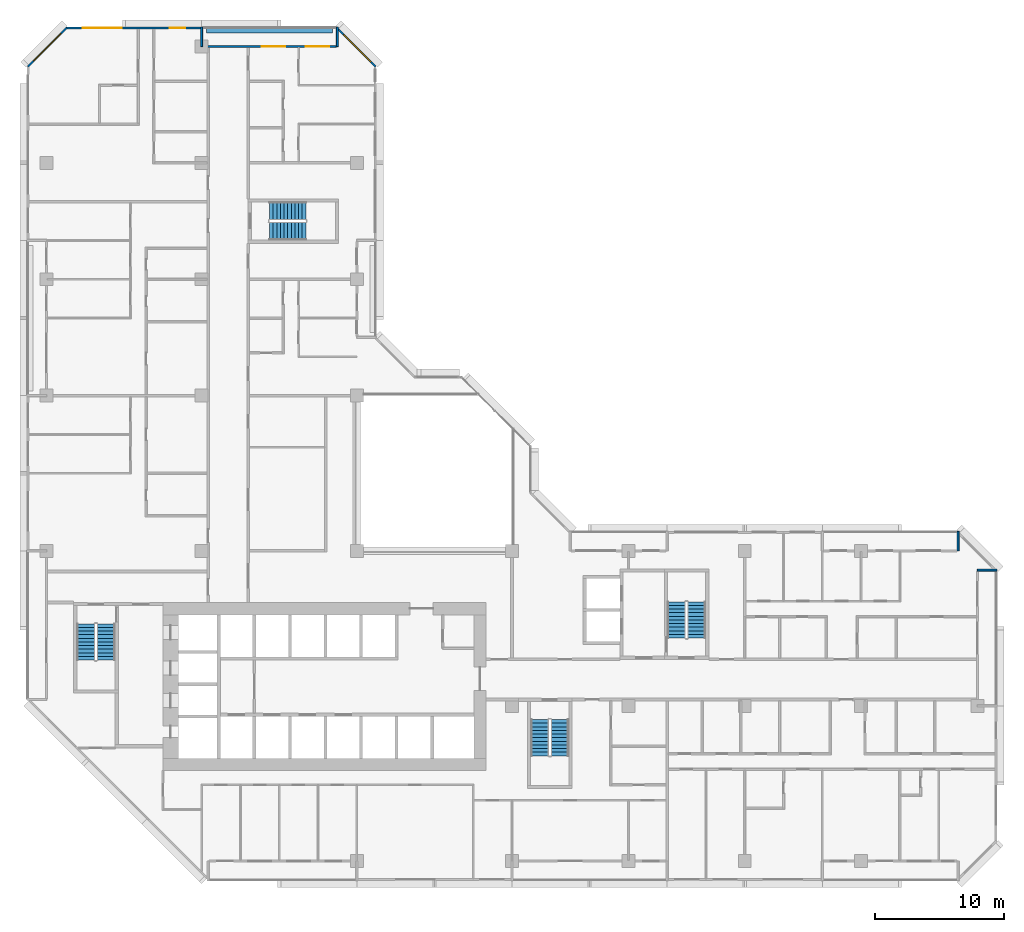
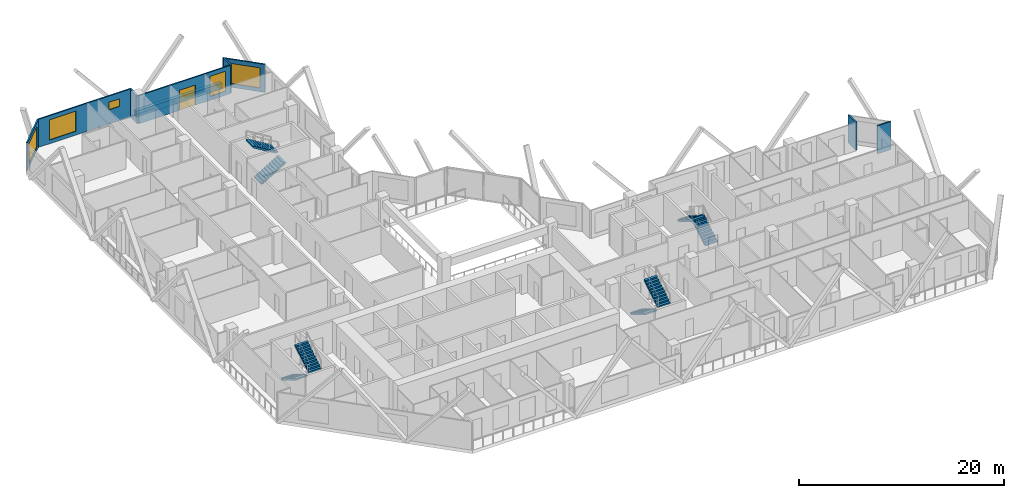
# One storey, part 13 of 15: 9 walls, 8 stair flights, 5 windows, 1 door, 6 openings, 4 elements without a shape of their own.
"""IFC4 building model written with IfcOpenShell, lengths in metres."""

import ifcopenshell
import ifcopenshell.guid

model = None  # the IFC model being written
_history = None  # IfcOwnerHistory: only IFC2X3 demands one
_inside = {}  # id of a spatial element -> (the spatial element, [elements in it])
_under = {}  # id of a project, library or spatial element -> (it, [spatial elements below it])
_declared = {}  # id of a project -> (the project, [libraries it declares])
_typed = {}  # id of a type object -> (the type object, [elements of that type])
_made_of = {}  # id of a material, layer set ... -> (it, [elements and type objects made of it])


def new_model(schema):
    """Start an empty IFC model of exactly this schema.

    Asked for "IFC4X3", IfcOpenShell would pick the latest addendum, in which some entities
    have other attributes; the version numbers below select the first issue.
    IFC2X3 requires an IfcOwnerHistory on every rooted entity: one is made here for all.
    """
    global model, _history
    if schema == "IFC4X3":
        model = ifcopenshell.file(schema_version=(4, 3, 0, 0))
    else:
        model = ifcopenshell.file(schema=schema)
    _inside.clear()
    _under.clear()
    _declared.clear()
    _typed.clear()
    _made_of.clear()
    _history = None
    if model.schema == "IFC2X3":
        org = make("IfcOrganization", Name="unknown")
        user = make(
            "IfcPersonAndOrganization",
            ThePerson=make("IfcPerson", FamilyName="unknown"),
            TheOrganization=org,
        )
        app = make(
            "IfcApplication",
            ApplicationDeveloper=org,
            Version="unknown",
            ApplicationFullName="unknown",
            ApplicationIdentifier="unknown",
        )
        _history = make(
            "IfcOwnerHistory",
            OwningUser=user,
            OwningApplication=app,
            ChangeAction="ADDED",
            CreationDate=0,
        )
    return model


def make(cls, **values):
    """One entity of the class cls with the attributes given. An attribute that is None is left unset."""
    return model.create_entity(
        cls, **{name: value for name, value in values.items() if value is not None}
    )


def rooted(cls, **values):
    """An entity with a GlobalId (a new one), such as an element, a storey or a relation."""
    return make(cls, GlobalId=ifcopenshell.guid.new(), OwnerHistory=_history, **values)


def si_unit(unit_type, name, prefix=None):
    """IfcSIUnit, for example si_unit("LENGTHUNIT", "METRE", prefix="MILLI")."""
    return make("IfcSIUnit", UnitType=unit_type, Prefix=prefix, Name=name)


def assignment(units):
    """IfcUnitAssignment: the units of a project."""
    return None if units is None else make("IfcUnitAssignment", Units=units)


def point(xyz):
    """IfcCartesianPoint."""
    return None if xyz is None else make("IfcCartesianPoint", Coordinates=xyz)


def direction(xyz):
    """IfcDirection."""
    return None if xyz is None else make("IfcDirection", DirectionRatios=xyz)


def frame(location, z_axis=None, x_axis=None):
    """IfcAxis2Placement3D, a coordinate frame: its origin and axes. An axis left out is left unset."""
    return make(
        "IfcAxis2Placement3D",
        Location=point(location),
        Axis=direction(z_axis),
        RefDirection=direction(x_axis),
    )


def frame_2d(location, x_axis=None):
    """IfcAxis2Placement2D, a coordinate frame in the plane: its origin and x axis."""
    return make(
        "IfcAxis2Placement2D", Location=point(location), RefDirection=direction(x_axis)
    )


def origin():
    """The frame at (0, 0, 0) with its axes left unset."""
    return frame((0.0, 0.0, 0.0))


def place(relative_to, where):
    """IfcLocalPlacement: puts the frame where relative to a parent placement (None: the world)."""
    return make(
        "IfcLocalPlacement", PlacementRelTo=relative_to, RelativePlacement=where
    )


def context(
    kind, dimensions, precision=None, world=None, true_north=None, identifier=None
):
    """IfcGeometricRepresentationContext, for example the 3D "Model" context."""
    return make(
        "IfcGeometricRepresentationContext",
        ContextIdentifier=identifier,
        ContextType=kind,
        CoordinateSpaceDimension=dimensions,
        Precision=precision,
        WorldCoordinateSystem=world,
        TrueNorth=true_north,
    )


def subcontext(parent, identifier, kind, view, scale=None):
    """IfcGeometricRepresentationSubContext, for example "Body" below "Model"."""
    return make(
        "IfcGeometricRepresentationSubContext",
        ContextIdentifier=identifier,
        ContextType=kind,
        ParentContext=parent,
        TargetScale=scale,
        TargetView=view,
    )


def project(units=None, contexts=None):
    """IfcProject with its units and contexts."""
    return rooted(
        "IfcProject",
        Name="project",
        RepresentationContexts=contexts,
        UnitsInContext=assignment(units),
    )


def spatial(cls, under=None, at=None, **own):
    """A site, building, storey or space (cls), placed at a placement, below another one or the project."""
    s = rooted(cls, ObjectPlacement=at, **own)
    if under is not None:
        _under.setdefault(under.id(), (under, []))[1].append(s)
    return s


def polyline(points):
    """IfcPolyline through the points."""
    return make("IfcPolyline", Points=[point(p) for p in points])


def profile(cls, at=None, kind="AREA", **sizes):
    """A parametric profile (cls). Its sizes go by their IFC names, for example OverallWidth=200.0."""
    return make(cls, ProfileType=kind, Position=at, **sizes)


def rectangle(**sizes):
    """IfcRectangleProfileDef."""
    return profile("IfcRectangleProfileDef", **sizes)


def outline(outer, holes=None, kind="AREA"):
    """IfcArbitraryClosedProfileDef: a profile drawn as a closed curve; with holes, ...WithVoids."""
    if holes is None:
        return make("IfcArbitraryClosedProfileDef", ProfileType=kind, OuterCurve=outer)
    return make(
        "IfcArbitraryProfileDefWithVoids",
        ProfileType=kind,
        OuterCurve=outer,
        InnerCurves=holes,
    )


def extrude(swept, where, along, depth):
    """IfcExtrudedAreaSolid: the profile swept, set in the frame where, extruded along a direction by depth."""
    return make(
        "IfcExtrudedAreaSolid",
        SweptArea=swept,
        Position=where,
        ExtrudedDirection=direction(along),
        Depth=depth,
    )


def shape(context_of_items, identifier, shape_type, items):
    """IfcShapeRepresentation: the items that make up one representation, for example the "Body"."""
    return make(
        "IfcShapeRepresentation",
        ContextOfItems=context_of_items,
        RepresentationIdentifier=identifier,
        RepresentationType=shape_type,
        Items=items,
    )


def material(Name=None, Category=None):
    """IfcMaterial."""
    return make("IfcMaterial", Name=Name, Category=Category)


def layer(
    of_material, thickness, ventilated=None, Name=None, Category=None, Priority=None
):
    """IfcMaterialLayer: one layer of a wall or slab, of a material (None: an air gap)."""
    return make(
        "IfcMaterialLayer",
        Material=of_material,
        LayerThickness=thickness,
        IsVentilated=ventilated,
        Name=Name,
        Category=Category,
        Priority=Priority,
    )


def layer_set(layers, Name=None):
    """IfcMaterialLayerSet."""
    return make("IfcMaterialLayerSet", MaterialLayers=layers, LayerSetName=Name)


def made_of(thing, what):
    """Note that an element or type object is made of a material, layer set ...; save() writes the relation."""
    if what is not None:
        _made_of.setdefault(what.id(), (what, []))[1].append(thing)
    return thing


def type_object(cls, material=None, **own):
    """A type object (cls), such as IfcWallType, which elements share."""
    return made_of(rooted(cls, **own), material)


def element(
    cls,
    number,
    at=None,
    inside=None,
    cuts=None,
    type_object=None,
    material=None,
    context=None,
    identifier="Body",
    shape_type=None,
    held_by="IfcProductDefinitionShape",
    body=None,
    shapes=None,
    **own,
):
    """One element of the class cls, such as IfcWall. Its Tag is "e" and its number.

    at: its placement. inside: the storey or other place that contains it. cuts: it is an
    opening in that element (IfcRelVoidsElement). A single representation is given by context,
    identifier, shape_type and body (its items); several are given by shapes. held_by: the class
    of the entity that holds the representations. save() writes the other relations.
    """
    e = rooted(cls, Tag="e%d" % number, ObjectPlacement=at, **own)
    if body is not None:
        shapes = [shape(context, identifier, shape_type, body)]
    if shapes is not None:
        e.Representation = make(held_by, Representations=shapes)
    if inside is not None:
        _inside.setdefault(inside.id(), (inside, []))[1].append(e)
    if cuts is not None:
        rooted(
            "IfcRelVoidsElement", RelatingBuildingElement=cuts, RelatedOpeningElement=e
        )
    if type_object is not None:
        _typed.setdefault(type_object.id(), (type_object, []))[1].append(e)
    return made_of(e, material)


def fill(opening, filler):
    """IfcRelFillsElement: the door or window that sits in an opening."""
    return rooted(
        "IfcRelFillsElement",
        RelatingOpeningElement=opening,
        RelatedBuildingElement=filler,
    )


def aggregate(whole, parts):
    """IfcRelAggregates: a whole, such as a stair, and the parts it consists of."""
    return rooted("IfcRelAggregates", RelatingObject=whole, RelatedObjects=parts)


def save(model, path):
    """Write the relations noted so far, then the file.

    IfcRelAggregates (storeys below a building ...), IfcRelContainedInSpatialStructure (elements
    in a storey), IfcRelDefinesByType, IfcRelAssociatesMaterial and IfcRelDeclares: one each for
    every whole, place, type object, material and project.
    """
    for whole, parts in _under.values():
        aggregate(whole, parts)
    for where, things in _inside.values():
        rooted(
            "IfcRelContainedInSpatialStructure",
            RelatedElements=things,
            RelatingStructure=where,
        )
    for kind, things in _typed.values():
        rooted("IfcRelDefinesByType", RelatedObjects=things, RelatingType=kind)
    for what, things in _made_of.values():
        rooted("IfcRelAssociatesMaterial", RelatedObjects=things, RelatingMaterial=what)
    for by, libraries in _declared.values():
        rooted("IfcRelDeclares", RelatingContext=by, RelatedDefinitions=libraries)
    model.write(path)


model = new_model("IFC4")

# Units and contexts
model_context = context("Model", 3, precision=1e-05, world=origin(), true_north=direction((0.0, 1.0)))
body_context = subcontext(model_context, "Body", "Model", "MODEL_VIEW")
ifc_project = project(units=[si_unit("LENGTHUNIT", "METRE"), si_unit("AREAUNIT", "SQUARE_METRE"), si_unit("VOLUMEUNIT", "CUBIC_METRE"), si_unit("PLANEANGLEUNIT", "RADIAN"), si_unit("MASSUNIT", "GRAM", prefix="KILO")], contexts=[model_context])

# Site, building, storey
site_placement = place(None, origin())
site = spatial("IfcSite", under=ifc_project, at=site_placement, CompositionType="ELEMENT")
building_placement = place(site_placement, origin())
building = spatial("IfcBuilding", under=site, at=building_placement, Name="Chenar Terraces", CompositionType="ELEMENT")
storey_placement = place(building_placement, frame((0.0, 0.0, 114.39990234375)))
storey = spatial("IfcBuildingStorey", under=building, at=storey_placement, Name="L26", CompositionType="ELEMENT", Elevation=114.39990234375)

# Wall, openings, windows
ifc_material_1 = material(Name="Aluminium framed glazing", Category="aluminium")
ifc_layer_1 = layer(ifc_material_1, 0.14990234375)
ifc_layer_set_1 = layer_set([ifc_layer_1], Name="Aluminium framed glazing")
wall_type_1 = type_object("IfcWallType", Name="Glazed flush facade wall 150", PredefinedType="SOLIDWALL", material=ifc_layer_set_1)
wall_1_placement = place(storey_placement, frame((11.925048828125, 64.425048828125, 0.0), z_axis=(0.0, 0.0, 1.0), x_axis=(-1.0, 0.0, 0.0)))
wall_1 = element("IfcWall", 1, at=wall_1_placement, inside=storey, type_object=wall_type_1, Name="Glazed flush facade wall", PredefinedType="SOLIDWALL", context=body_context, shape_type="SweptSolid", body=[
    extrude(rectangle(XDim=10.425048828125, YDim=0.14990234375, at=frame_2d((5.21240234375, 0.0))), origin(), (0.0, 0.0, 1.0), 3.35009765625),
])
opening_1_placement = place(wall_1_placement, frame((1.21240234375, 0.0, 1.699951171875)))
opening_1 = element("IfcOpeningElement", 2, at=opening_1_placement, cuts=wall_1, Name="Opening W120x90", PredefinedType="OPENING", context=body_context, shape_type="SweptSolid", body=[
    extrude(rectangle(XDim=1.199951171875, YDim=0.89990234375, at=frame_2d((0.60009765625, 0.449951171875))), frame((0.0, 0.0849609375, 0.0), z_axis=(0.0, -1.0, 0.0), x_axis=(1.0, 0.0, 0.0)), (0.0, 0.0, 1.0), 0.169921875),
])
opening_2_placement = place(wall_1_placement, frame((6.125, 0.0, 0.449951171875)))
opening_2 = element("IfcOpeningElement", 3, at=opening_2_placement, cuts=wall_1, Name="Opening W300x240", PredefinedType="OPENING", context=body_context, shape_type="SweptSolid", body=[
    extrude(rectangle(XDim=3.0, YDim=2.39990234375, at=frame_2d((1.5, 1.199951171875))), frame((0.0, 0.0849609375, 0.0), z_axis=(0.0, -1.0, 0.0), x_axis=(1.0, 0.0, 0.0)), (0.0, 0.0, 1.0), 0.169921875),
])
ifc_material_2 = material(Name="Low emissivity double glazing, aluminium frame", Category="aluminium")
window_type_1 = type_object("IfcWindowType", Name="Fixed light 1200 x 900", PartitioningType="SINGLE_PANEL", PredefinedType="WINDOW", material=ifc_material_2)
window_1_placement = place(opening_1_placement, origin())
window_1 = element("IfcWindow", 4, at=window_1_placement, inside=storey, type_object=window_type_1, Name="Window", OverallHeight=0.89990234375, OverallWidth=1.199951171875, PartitioningType="SINGLE_PANEL", PredefinedType="WINDOW", context=body_context, shape_type="SweptSolid", body=[
    extrude(rectangle(XDim=1.199951171875, YDim=0.89990234375, at=frame_2d((0.60009765625, 0.449951171875))), frame((0.0, 0.030029296875, 0.0), z_axis=(0.0, -1.0, 0.0), x_axis=(1.0, 0.0, 0.0)), (0.0, 0.0, 1.0), 0.06005859375),
])
fill(opening_1, window_1)
ifc_material_3 = material(Name="Low emissivity double glazing, aluminium frame", Category="aluminium")
window_type_2 = type_object("IfcWindowType", Name="Fixed light 3000 x 2400", PartitioningType="SINGLE_PANEL", PredefinedType="WINDOW", material=ifc_material_3)
window_2_placement = place(opening_2_placement, origin())
window_2 = element("IfcWindow", 5, at=window_2_placement, inside=storey, type_object=window_type_2, Name="Window", OverallHeight=2.39990234375, OverallWidth=3.0, PartitioningType="SINGLE_PANEL", PredefinedType="WINDOW", context=body_context, shape_type="SweptSolid", body=[
    extrude(rectangle(XDim=3.0, YDim=2.39990234375, at=frame_2d((1.5, 1.199951171875))), frame((0.0, 0.030029296875, 0.0), z_axis=(0.0, -1.0, 0.0), x_axis=(1.0, 0.0, 0.0)), (0.0, 0.0, 1.0), 0.06005859375),
])
fill(opening_2, window_2)

# Wall, openings, window, door
ifc_material_4 = material(Name="Aluminium framed glazing", Category="aluminium")
ifc_layer_2 = layer(ifc_material_4, 0.14990234375)
ifc_layer_set_2 = layer_set([ifc_layer_2], Name="Aluminium framed glazing")
wall_type_2 = type_object("IfcWallType", Name="Glazed loggia back wall 150", PredefinedType="SOLIDWALL", material=ifc_layer_set_2)
wall_2_placement = place(storey_placement, frame((22.425048828125, 63.0, 0.0), z_axis=(0.0, 0.0, 1.0), x_axis=(-1.0, 0.0, 0.0)))
wall_2 = element("IfcWall", 6, at=wall_2_placement, inside=storey, type_object=wall_type_2, Name="Glazed loggia back wall", PredefinedType="SOLIDWALL", context=body_context, shape_type="SweptSolid", body=[
    extrude(rectangle(XDim=10.35009765625, YDim=0.14990234375, at=frame_2d((5.175048828125, 0.0))), origin(), (0.0, 0.0, 1.0), 3.35009765625),
])
opening_3_placement = place(wall_2_placement, frame((0.5625, 0.0, 0.449951171875)))
opening_3 = element("IfcOpeningElement", 7, at=opening_3_placement, cuts=wall_2, Name="Opening W180x240", PredefinedType="OPENING", context=body_context, shape_type="SweptSolid", body=[
    extrude(rectangle(XDim=1.800048828125, YDim=2.39990234375, at=frame_2d((0.89990234375, 1.199951171875))), frame((0.0, 0.0849609375, 0.0), z_axis=(0.0, -1.0, 0.0), x_axis=(1.0, 0.0, 0.0)), (0.0, 0.0, 1.0), 0.169921875),
])
opening_4_placement = place(wall_2_placement, frame((3.97509765625, 0.0, 0.0)))
opening_4 = element("IfcOpeningElement", 8, at=opening_4_placement, cuts=wall_2, Name="Opening DL26-G3", PredefinedType="OPENING", context=body_context, shape_type="SweptSolid", body=[
    extrude(rectangle(XDim=1.800048828125, YDim=2.39990234375, at=frame_2d((0.89990234375, 1.199951171875))), frame((0.0, 0.0849609375, 0.0), z_axis=(0.0, -1.0, 0.0), x_axis=(1.0, 0.0, 0.0)), (0.0, 0.0, 1.0), 0.169921875),
])
ifc_material_5 = material(Name="Low emissivity double glazing, aluminium frame", Category="aluminium")
window_type_3 = type_object("IfcWindowType", Name="Fixed light 1800 x 2400", PartitioningType="SINGLE_PANEL", PredefinedType="WINDOW", material=ifc_material_5)
window_3_placement = place(opening_3_placement, origin())
window_3 = element("IfcWindow", 9, at=window_3_placement, inside=storey, type_object=window_type_3, Name="Window", OverallHeight=2.39990234375, OverallWidth=1.800048828125, PartitioningType="SINGLE_PANEL", PredefinedType="WINDOW", context=body_context, shape_type="SweptSolid", body=[
    extrude(rectangle(XDim=1.800048828125, YDim=2.39990234375, at=frame_2d((0.89990234375, 1.199951171875))), frame((0.0, 0.030029296875, 0.0), z_axis=(0.0, -1.0, 0.0), x_axis=(1.0, 0.0, 0.0)), (0.0, 0.0, 1.0), 0.06005859375),
])
fill(opening_3, window_3)
ifc_material_6 = material(Name="Low emissivity double glazing, aluminium frame", Category="aluminium")
door_type = type_object("IfcDoorType", Name="Loggia glazed double door 1800 x 2400", OperationType="DOUBLE_DOOR_SINGLE_SWING", PredefinedType="DOOR", material=ifc_material_6)
door_placement = place(opening_4_placement, frame((1.800048828125, 0.0, 0.0), z_axis=(0.0, 0.0, 1.0), x_axis=(-1.0, 0.0, 0.0)))
door = element("IfcDoor", 10, at=door_placement, inside=storey, type_object=door_type, Name="Loggia glazed door", OperationType="DOUBLE_DOOR_SINGLE_SWING", OverallHeight=2.39990234375, OverallWidth=1.800048828125, PredefinedType="DOOR", context=body_context, shape_type="SweptSolid", body=[
    extrude(rectangle(XDim=1.800048828125, YDim=2.39990234375, at=frame_2d((0.89990234375, 1.199951171875))), frame((0.0, 0.02490234375, 0.0), z_axis=(0.0, -1.0, 0.0), x_axis=(1.0, 0.0, 0.0)), (0.0, 0.0, 1.0), 0.050048828125),
])
fill(opening_4, door)

# Walls
ifc_material_7 = material(Name="Terracotta cladding on insulated backing", Category="masonry")
ifc_layer_3 = layer(ifc_material_7, 0.14990234375)
ifc_layer_set_3 = layer_set([ifc_layer_3], Name="Terracotta cladding on insulated backing")
wall_type_3 = type_object("IfcWallType", Name="Loggia return wall 150", PredefinedType="SOLIDWALL", material=ifc_layer_set_3)
for number, where, z_axis, x_axis, name in (
    (11, (70.5, 25.5, 0.0), (0.0, 0.0, 1.0), (0.0, -1.0, 0.0), "Loggia return wall"),
    (12, (22.5, 64.5, 0.0), (0.0, 0.0, 1.0), (0.0, -1.0, 0.0), "Loggia return wall"),
    (13, (12.0, 64.5, 0.0), (0.0, 0.0, 1.0), (0.0, -1.0, 0.0), "Loggia return wall"),
    (14, (73.5, 22.5, 0.0), (0.0, 0.0, 1.0), (-1.0, 0.0, 0.0), "Loggia return wall"),
):
    element("IfcWall", number, at=place(storey_placement, frame(where, z_axis=z_axis, x_axis=x_axis)), inside=storey, type_object=wall_type_3, Name=name, PredefinedType="SOLIDWALL", context=body_context, shape_type="SweptSolid", body=[
        extrude(rectangle(XDim=1.5, YDim=0.14990234375, at=frame_2d((0.75, 0.0))), origin(), (0.0, 0.0, 1.0), 3.35009765625),
    ])

# Wall, opening, window
ifc_material_8 = material(Name="Terracotta cladding on insulated backing", Category="masonry")
ifc_layer_4 = layer(ifc_material_8, 0.14990234375)
ifc_layer_set_4 = layer_set([ifc_layer_4], Name="Terracotta cladding on insulated backing")
wall_type_4 = type_object("IfcWallType", Name="Terracotta rainscreen wall 150", PredefinedType="SOLIDWALL", material=ifc_layer_set_4)
wall_3_placement = place(storey_placement, frame((25.447021484375, 61.447021484375, 0.0), z_axis=(0.0, 0.0, 1.0), x_axis=(-0.707106781187, 0.707106781187, 0.0)))
wall_3 = element("IfcWall", 15, at=wall_3_placement, inside=storey, type_object=wall_type_4, Name="Terracotta rainscreen wall", PredefinedType="SOLIDWALL", context=body_context, shape_type="SweptSolid", body=[
    extrude(rectangle(XDim=4.24267578125, YDim=0.14990234375, at=frame_2d((2.121337890625, 0.0))), origin(), (0.0, 0.0, 1.0), 3.35009765625),
])
opening_5_placement = place(wall_3_placement, frame((0.498046875, 0.0, 0.449951171875)))
opening_5 = element("IfcOpeningElement", 16, at=opening_5_placement, cuts=wall_3, Name="Opening W300x240", PredefinedType="OPENING", context=body_context, shape_type="SweptSolid", body=[
    extrude(rectangle(XDim=3.0, YDim=2.39990234375, at=frame_2d((1.5, 1.199951171875))), frame((0.0, 0.0849609375, 0.0), z_axis=(0.0, -1.0, 0.0), x_axis=(1.0, 0.0, 0.0)), (0.0, 0.0, 1.0), 0.169921875),
])
window_4_placement = place(opening_5_placement, origin())
window_4 = element("IfcWindow", 17, at=window_4_placement, inside=storey, type_object=window_type_2, Name="Window", OverallHeight=2.39990234375, OverallWidth=3.0, PartitioningType="SINGLE_PANEL", PredefinedType="WINDOW", context=body_context, shape_type="SweptSolid", body=[
    extrude(rectangle(XDim=3.0, YDim=2.39990234375, at=frame_2d((1.5, 1.199951171875))), frame((0.0, 0.030029296875, 0.0), z_axis=(0.0, -1.0, 0.0), x_axis=(1.0, 0.0, 0.0)), (0.0, 0.0, 1.0), 0.06005859375),
])
fill(opening_5, window_4)

wall_4_placement = place(storey_placement, frame((1.552978515625, 64.447021484375, 0.0), z_axis=(0.0, 0.0, 1.0), x_axis=(-0.707106781187, -0.707106781187, 0.0)))
wall_4 = element("IfcWall", 18, at=wall_4_placement, inside=storey, type_object=wall_type_4, Name="Terracotta rainscreen wall", PredefinedType="SOLIDWALL", context=body_context, shape_type="SweptSolid", body=[
    extrude(rectangle(XDim=4.24267578125, YDim=0.14990234375, at=frame_2d((2.121337890625, 0.0))), origin(), (0.0, 0.0, 1.0), 3.35009765625),
])
opening_6_placement = place(wall_4_placement, frame((0.621337890625, 0.0, 0.449951171875)))
opening_6 = element("IfcOpeningElement", 19, at=opening_6_placement, cuts=wall_4, Name="Opening W300x240", PredefinedType="OPENING", context=body_context, shape_type="SweptSolid", body=[
    extrude(rectangle(XDim=3.0, YDim=2.39990234375, at=frame_2d((1.5, 1.199951171875))), frame((0.0, 0.0849609375, 0.0), z_axis=(0.0, -1.0, 0.0), x_axis=(1.0, 0.0, 0.0)), (0.0, 0.0, 1.0), 0.169921875),
])
window_5_placement = place(opening_6_placement, origin())
window_5 = element("IfcWindow", 20, at=window_5_placement, inside=storey, type_object=window_type_2, Name="Window", OverallHeight=2.39990234375, OverallWidth=3.0, PartitioningType="SINGLE_PANEL", PredefinedType="WINDOW", context=body_context, shape_type="SweptSolid", body=[
    extrude(rectangle(XDim=3.0, YDim=2.39990234375, at=frame_2d((1.5, 1.199951171875))), frame((0.0, 0.030029296875, 0.0), z_axis=(0.0, -1.0, 0.0), x_axis=(1.0, 0.0, 0.0)), (0.0, 0.0, 1.0), 0.06005859375),
])
fill(opening_6, window_5)

# Wall
ifc_material_9 = material(Name="GRP planter trough")
ifc_layer_5 = layer(ifc_material_9, 0.39990234375)
ifc_layer_set_5 = layer_set([ifc_layer_5], Name="GRP planter trough")
wall_type_5 = type_object("IfcWallType", Name="Vertical greenery planter 400", PredefinedType="SOLIDWALL", material=ifc_layer_set_5)
wall_5_placement = place(storey_placement, frame((22.125, 64.22900390625, 0.0), z_axis=(0.0, 0.0, 1.0), x_axis=(-1.0, 0.0, 0.0)))
element("IfcWall", 21, at=wall_5_placement, inside=storey, type_object=wall_type_5, Name="Vertical greenery planter", PredefinedType="SOLIDWALL", context=body_context, shape_type="SweptSolid", body=[
    extrude(rectangle(XDim=9.75, YDim=0.39990234375, at=frame_2d((4.875, 0.0))), origin(), (0.0, 0.0, 1.0), 0.7001953125),
])

# Stair, stair flights
ifc_material_10 = material(Name="Reinforced concrete C40/50", Category="concrete")
stair_type = type_object("IfcStairType", Name="Core stair 1400 half-turn", PredefinedType="HALF_TURN_STAIR", material=ifc_material_10)
placement = place(storey_placement, origin())
stair_1 = element("IfcStair", 22, at=placement, inside=storey, type_object=stair_type, Name="L26 Stair 1", PredefinedType="HALF_TURN_STAIR")
ifc_material_11 = material(Name="Reinforced concrete C40/50", Category="concrete")
stair_flight_type = type_object("IfcStairFlightType", Name="Core stair flight 1400", PredefinedType="STRAIGHT", material=ifc_material_11)
stair_flight_1_placement = place(storey_placement, frame((3.050048828125, 18.35009765625, 0.0), z_axis=(0.0, 0.0, 1.0), x_axis=(0.0, -1.0, 0.0)))
stair_flight_1 = element("IfcStairFlight", 23, at=stair_flight_1_placement, type_object=stair_flight_type, Name="ST1 flight 1", NumberOfRisers=11, NumberOfTreads=10, PredefinedType="STRAIGHT", RiserHeight=0.170454545, TreadLength=0.28, context=body_context, shape_type="SweptSolid", body=[
    extrude(outline(polyline([(-0.0029296875, 0.0), (-0.0029296875, 0.17041015625), (0.0, 0.17041015625), (0.280029296875, 0.17041015625), (0.280029296875, 0.3408203125), (0.56005859375, 0.3408203125), (0.56005859375, 0.511474609375), (0.840087890625, 0.511474609375), (0.840087890625, 0.681884765625), (1.1201171875, 0.681884765625), (1.1201171875, 0.852294921875), (1.39990234375, 0.852294921875), (1.39990234375, 1.022705078125), (1.679931640625, 1.022705078125), (1.679931640625, 1.193115234375), (1.9599609375, 1.193115234375), (1.9599609375, 1.363525390625), (2.239990234375, 1.363525390625), (2.239990234375, 1.5341796875), (2.52001953125, 1.5341796875), (2.52001953125, 1.70458984375), (2.800048828125, 1.70458984375), (2.802978515625, 1.70458984375), (2.802978515625, 1.529052734375), (2.800048828125, 1.529052734375), (0.288330078125, 0.0), (-0.0029296875, 0.0)])), frame((0.0, 0.699951171875, 0.0), z_axis=(0.0, -1.0, 0.0), x_axis=(1.0, 0.0, 0.0)), (0.0, 0.0, 1.0), 1.39990234375),
])
stair_flight_2_placement = place(storey_placement, frame((4.60009765625, 15.550048828125, 1.875), z_axis=(0.0, 0.0, 1.0), x_axis=(0.0, 1.0, 0.0)))
stair_flight_2 = element("IfcStairFlight", 24, at=stair_flight_2_placement, type_object=stair_flight_type, Name="ST1 flight 2", NumberOfRisers=11, NumberOfTreads=10, PredefinedType="STRAIGHT", RiserHeight=0.170454545, TreadLength=0.28, context=body_context, shape_type="SweptSolid", body=[
    extrude(outline(polyline([(-0.0029296875, 0.0), (-0.0029296875, 0.17041015625), (0.0, 0.17041015625), (0.280029296875, 0.17041015625), (0.280029296875, 0.3408203125), (0.56005859375, 0.3408203125), (0.56005859375, 0.511474609375), (0.840087890625, 0.511474609375), (0.840087890625, 0.681884765625), (1.1201171875, 0.681884765625), (1.1201171875, 0.852294921875), (1.39990234375, 0.852294921875), (1.39990234375, 1.022705078125), (1.679931640625, 1.022705078125), (1.679931640625, 1.193115234375), (1.9599609375, 1.193115234375), (1.9599609375, 1.363525390625), (2.239990234375, 1.363525390625), (2.239990234375, 1.5341796875), (2.52001953125, 1.5341796875), (2.52001953125, 1.70458984375), (2.800048828125, 1.70458984375), (2.802978515625, 1.70458984375), (2.802978515625, 1.529052734375), (2.800048828125, 1.529052734375), (0.288330078125, 0.0), (-0.0029296875, 0.0)])), frame((0.0, 0.699951171875, 0.0), z_axis=(0.0, -1.0, 0.0), x_axis=(1.0, 0.0, 0.0)), (0.0, 0.0, 1.0), 1.39990234375),
])
aggregate(stair_1, [stair_flight_1, stair_flight_2])

stair_2 = element("IfcStair", 25, at=placement, inside=storey, type_object=stair_type, Name="L26 Stair 2", PredefinedType="HALF_TURN_STAIR")
stair_flight_3_placement = place(storey_placement, frame((38.14990234375, 10.949951171875, 0.0), z_axis=(0.0, 0.0, 1.0), x_axis=(0.0, -1.0, 0.0)))
stair_flight_3 = element("IfcStairFlight", 26, at=stair_flight_3_placement, type_object=stair_flight_type, Name="ST2 flight 1", NumberOfRisers=11, NumberOfTreads=10, PredefinedType="STRAIGHT", RiserHeight=0.170454545, TreadLength=0.28, context=body_context, shape_type="SweptSolid", body=[
    extrude(outline(polyline([(-0.0029296875, 0.0), (-0.0029296875, 0.17041015625), (0.0, 0.17041015625), (0.280029296875, 0.17041015625), (0.280029296875, 0.3408203125), (0.56005859375, 0.3408203125), (0.56005859375, 0.511474609375), (0.840087890625, 0.511474609375), (0.840087890625, 0.681884765625), (1.1201171875, 0.681884765625), (1.1201171875, 0.852294921875), (1.39990234375, 0.852294921875), (1.39990234375, 1.022705078125), (1.679931640625, 1.022705078125), (1.679931640625, 1.193115234375), (1.9599609375, 1.193115234375), (1.9599609375, 1.363525390625), (2.239990234375, 1.363525390625), (2.239990234375, 1.5341796875), (2.52001953125, 1.5341796875), (2.52001953125, 1.70458984375), (2.800048828125, 1.70458984375), (2.802978515625, 1.70458984375), (2.802978515625, 1.529052734375), (2.800048828125, 1.529052734375), (0.288330078125, 0.0), (-0.0029296875, 0.0)])), frame((0.0, 0.699951171875, 0.0), z_axis=(0.0, -1.0, 0.0), x_axis=(1.0, 0.0, 0.0)), (0.0, 0.0, 1.0), 1.39990234375),
])
stair_flight_4_placement = place(storey_placement, frame((39.699951171875, 8.14990234375, 1.875), z_axis=(0.0, 0.0, 1.0), x_axis=(0.0, 1.0, 0.0)))
stair_flight_4 = element("IfcStairFlight", 27, at=stair_flight_4_placement, type_object=stair_flight_type, Name="ST2 flight 2", NumberOfRisers=11, NumberOfTreads=10, PredefinedType="STRAIGHT", RiserHeight=0.170454545, TreadLength=0.28, context=body_context, shape_type="SweptSolid", body=[
    extrude(outline(polyline([(-0.0029296875, 0.0), (-0.0029296875, 0.17041015625), (0.0, 0.17041015625), (0.280029296875, 0.17041015625), (0.280029296875, 0.3408203125), (0.56005859375, 0.3408203125), (0.56005859375, 0.511474609375), (0.840087890625, 0.511474609375), (0.840087890625, 0.681884765625), (1.1201171875, 0.681884765625), (1.1201171875, 0.852294921875), (1.39990234375, 0.852294921875), (1.39990234375, 1.022705078125), (1.679931640625, 1.022705078125), (1.679931640625, 1.193115234375), (1.9599609375, 1.193115234375), (1.9599609375, 1.363525390625), (2.239990234375, 1.363525390625), (2.239990234375, 1.5341796875), (2.52001953125, 1.5341796875), (2.52001953125, 1.70458984375), (2.800048828125, 1.70458984375), (2.802978515625, 1.70458984375), (2.802978515625, 1.529052734375), (2.800048828125, 1.529052734375), (0.288330078125, 0.0), (-0.0029296875, 0.0)])), frame((0.0, 0.699951171875, 0.0), z_axis=(0.0, -1.0, 0.0), x_axis=(1.0, 0.0, 0.0)), (0.0, 0.0, 1.0), 1.39990234375),
])
aggregate(stair_2, [stair_flight_3, stair_flight_4])

stair_3 = element("IfcStair", 28, at=placement, inside=storey, type_object=stair_type, Name="L26 Stair 3", PredefinedType="HALF_TURN_STAIR")
stair_flight_5_placement = place(storey_placement, frame((50.27490234375, 17.25, 0.0), z_axis=(0.0, 0.0, 1.0), x_axis=(0.0, 1.0, 0.0)))
stair_flight_5 = element("IfcStairFlight", 29, at=stair_flight_5_placement, type_object=stair_flight_type, Name="ST3 flight 1", NumberOfRisers=11, NumberOfTreads=10, PredefinedType="STRAIGHT", RiserHeight=0.170454545, TreadLength=0.28, context=body_context, shape_type="SweptSolid", body=[
    extrude(outline(polyline([(-0.0029296875, 0.0), (-0.0029296875, 0.17041015625), (0.0, 0.17041015625), (0.280029296875, 0.17041015625), (0.280029296875, 0.3408203125), (0.56005859375, 0.3408203125), (0.56005859375, 0.511474609375), (0.840087890625, 0.511474609375), (0.840087890625, 0.681884765625), (1.1201171875, 0.681884765625), (1.1201171875, 0.852294921875), (1.39990234375, 0.852294921875), (1.39990234375, 1.022705078125), (1.679931640625, 1.022705078125), (1.679931640625, 1.193115234375), (1.9599609375, 1.193115234375), (1.9599609375, 1.363525390625), (2.239990234375, 1.363525390625), (2.239990234375, 1.5341796875), (2.52001953125, 1.5341796875), (2.52001953125, 1.70458984375), (2.800048828125, 1.70458984375), (2.802978515625, 1.70458984375), (2.802978515625, 1.529052734375), (2.800048828125, 1.529052734375), (0.288330078125, 0.0), (-0.0029296875, 0.0)])), frame((0.0, 0.699951171875, 0.0), z_axis=(0.0, -1.0, 0.0), x_axis=(1.0, 0.0, 0.0)), (0.0, 0.0, 1.0), 1.39990234375),
])
stair_flight_6_placement = place(storey_placement, frame((48.72509765625, 20.050048828125, 1.875), z_axis=(0.0, 0.0, 1.0), x_axis=(0.0, -1.0, 0.0)))
stair_flight_6 = element("IfcStairFlight", 30, at=stair_flight_6_placement, type_object=stair_flight_type, Name="ST3 flight 2", NumberOfRisers=11, NumberOfTreads=10, PredefinedType="STRAIGHT", RiserHeight=0.170454545, TreadLength=0.28, context=body_context, shape_type="SweptSolid", body=[
    extrude(outline(polyline([(-0.0029296875, 0.0), (-0.0029296875, 0.17041015625), (0.0, 0.17041015625), (0.280029296875, 0.17041015625), (0.280029296875, 0.3408203125), (0.56005859375, 0.3408203125), (0.56005859375, 0.511474609375), (0.840087890625, 0.511474609375), (0.840087890625, 0.681884765625), (1.1201171875, 0.681884765625), (1.1201171875, 0.852294921875), (1.39990234375, 0.852294921875), (1.39990234375, 1.022705078125), (1.679931640625, 1.022705078125), (1.679931640625, 1.193115234375), (1.9599609375, 1.193115234375), (1.9599609375, 1.363525390625), (2.239990234375, 1.363525390625), (2.239990234375, 1.5341796875), (2.52001953125, 1.5341796875), (2.52001953125, 1.70458984375), (2.800048828125, 1.70458984375), (2.802978515625, 1.70458984375), (2.802978515625, 1.529052734375), (2.800048828125, 1.529052734375), (0.288330078125, 0.0), (-0.0029296875, 0.0)])), frame((0.0, 0.699951171875, 0.0), z_axis=(0.0, -1.0, 0.0), x_axis=(1.0, 0.0, 0.0)), (0.0, 0.0, 1.0), 1.39990234375),
])
aggregate(stair_3, [stair_flight_5, stair_flight_6])

stair_4 = element("IfcStair", 31, at=placement, inside=storey, type_object=stair_type, Name="L26 Stair 4", PredefinedType="HALF_TURN_STAIR")
stair_flight_7_placement = place(storey_placement, frame((17.25, 48.72509765625, 0.0), z_axis=(0.0, 0.0, 1.0), x_axis=(1.0, 0.0, 0.0)))
stair_flight_7 = element("IfcStairFlight", 32, at=stair_flight_7_placement, type_object=stair_flight_type, Name="ST4 flight 1", NumberOfRisers=11, NumberOfTreads=10, PredefinedType="STRAIGHT", RiserHeight=0.170454545, TreadLength=0.28, context=body_context, shape_type="SweptSolid", body=[
    extrude(outline(polyline([(-0.0029296875, 0.0), (-0.0029296875, 0.17041015625), (0.0, 0.17041015625), (0.280029296875, 0.17041015625), (0.280029296875, 0.3408203125), (0.56005859375, 0.3408203125), (0.56005859375, 0.511474609375), (0.840087890625, 0.511474609375), (0.840087890625, 0.681884765625), (1.1201171875, 0.681884765625), (1.1201171875, 0.852294921875), (1.39990234375, 0.852294921875), (1.39990234375, 1.022705078125), (1.679931640625, 1.022705078125), (1.679931640625, 1.193115234375), (1.9599609375, 1.193115234375), (1.9599609375, 1.363525390625), (2.239990234375, 1.363525390625), (2.239990234375, 1.5341796875), (2.52001953125, 1.5341796875), (2.52001953125, 1.70458984375), (2.800048828125, 1.70458984375), (2.802978515625, 1.70458984375), (2.802978515625, 1.529052734375), (2.800048828125, 1.529052734375), (0.288330078125, 0.0), (-0.0029296875, 0.0)])), frame((0.0, 0.699951171875, 0.0), z_axis=(0.0, -1.0, 0.0), x_axis=(1.0, 0.0, 0.0)), (0.0, 0.0, 1.0), 1.39990234375),
])
stair_flight_8_placement = place(storey_placement, frame((20.050048828125, 50.27490234375, 1.875), z_axis=(0.0, 0.0, 1.0), x_axis=(-1.0, 0.0, 0.0)))
stair_flight_8 = element("IfcStairFlight", 33, at=stair_flight_8_placement, type_object=stair_flight_type, Name="ST4 flight 2", NumberOfRisers=11, NumberOfTreads=10, PredefinedType="STRAIGHT", RiserHeight=0.170454545, TreadLength=0.28, context=body_context, shape_type="SweptSolid", body=[
    extrude(outline(polyline([(-0.0029296875, 0.0), (-0.0029296875, 0.17041015625), (0.0, 0.17041015625), (0.280029296875, 0.17041015625), (0.280029296875, 0.3408203125), (0.56005859375, 0.3408203125), (0.56005859375, 0.511474609375), (0.840087890625, 0.511474609375), (0.840087890625, 0.681884765625), (1.1201171875, 0.681884765625), (1.1201171875, 0.852294921875), (1.39990234375, 0.852294921875), (1.39990234375, 1.022705078125), (1.679931640625, 1.022705078125), (1.679931640625, 1.193115234375), (1.9599609375, 1.193115234375), (1.9599609375, 1.363525390625), (2.239990234375, 1.363525390625), (2.239990234375, 1.5341796875), (2.52001953125, 1.5341796875), (2.52001953125, 1.70458984375), (2.800048828125, 1.70458984375), (2.802978515625, 1.70458984375), (2.802978515625, 1.529052734375), (2.800048828125, 1.529052734375), (0.288330078125, 0.0), (-0.0029296875, 0.0)])), frame((0.0, 0.699951171875, 0.0), z_axis=(0.0, -1.0, 0.0), x_axis=(1.0, 0.0, 0.0)), (0.0, 0.0, 1.0), 1.39990234375),
])
aggregate(stair_4, [stair_flight_7, stair_flight_8])

save(model, "model.ifc")
